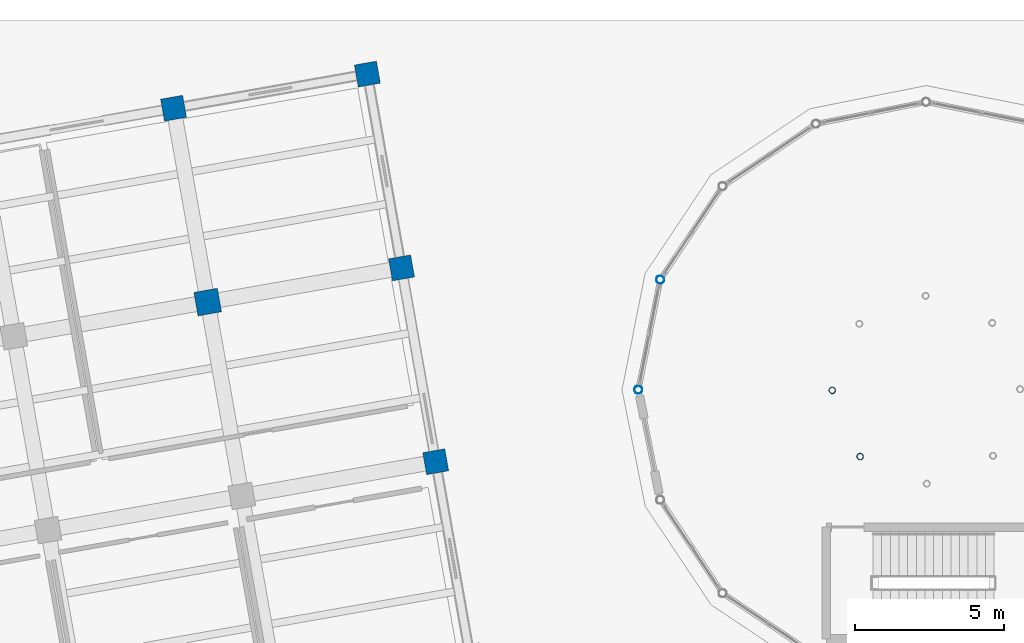
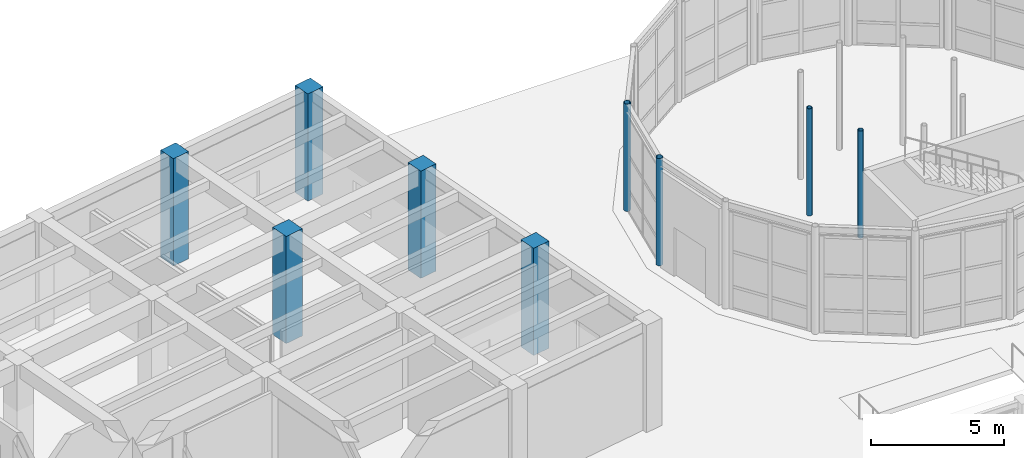
# One storey, part 3 of 57: 9 columns.
"""IFC4 building model written with IfcOpenShell, lengths in metres."""

import ifcopenshell
import ifcopenshell.guid

model = None  # the IFC model being written
_history = None  # IfcOwnerHistory: only IFC2X3 demands one
_inside = {}  # id of a spatial element -> (the spatial element, [elements in it])
_under = {}  # id of a project, library or spatial element -> (it, [spatial elements below it])
_declared = {}  # id of a project -> (the project, [libraries it declares])
_typed = {}  # id of a type object -> (the type object, [elements of that type])
_made_of = {}  # id of a material, layer set ... -> (it, [elements and type objects made of it])


def new_model(schema):
    """Start an empty IFC model of exactly this schema.

    Asked for "IFC4X3", IfcOpenShell would pick the latest addendum, in which some entities
    have other attributes; the version numbers below select the first issue.
    IFC2X3 requires an IfcOwnerHistory on every rooted entity: one is made here for all.
    """
    global model, _history
    if schema == "IFC4X3":
        model = ifcopenshell.file(schema_version=(4, 3, 0, 0))
    else:
        model = ifcopenshell.file(schema=schema)
    _inside.clear()
    _under.clear()
    _declared.clear()
    _typed.clear()
    _made_of.clear()
    _history = None
    if model.schema == "IFC2X3":
        org = make("IfcOrganization", Name="unknown")
        user = make(
            "IfcPersonAndOrganization",
            ThePerson=make("IfcPerson", FamilyName="unknown"),
            TheOrganization=org,
        )
        app = make(
            "IfcApplication",
            ApplicationDeveloper=org,
            Version="unknown",
            ApplicationFullName="unknown",
            ApplicationIdentifier="unknown",
        )
        _history = make(
            "IfcOwnerHistory",
            OwningUser=user,
            OwningApplication=app,
            ChangeAction="ADDED",
            CreationDate=0,
        )
    return model


def make(cls, **values):
    """One entity of the class cls with the attributes given. An attribute that is None is left unset."""
    return model.create_entity(
        cls, **{name: value for name, value in values.items() if value is not None}
    )


def rooted(cls, **values):
    """An entity with a GlobalId (a new one), such as an element, a storey or a relation."""
    return make(cls, GlobalId=ifcopenshell.guid.new(), OwnerHistory=_history, **values)


def si_unit(unit_type, name, prefix=None):
    """IfcSIUnit, for example si_unit("LENGTHUNIT", "METRE", prefix="MILLI")."""
    return make("IfcSIUnit", UnitType=unit_type, Prefix=prefix, Name=name)


def assignment(units):
    """IfcUnitAssignment: the units of a project."""
    return None if units is None else make("IfcUnitAssignment", Units=units)


def point(xyz):
    """IfcCartesianPoint."""
    return None if xyz is None else make("IfcCartesianPoint", Coordinates=xyz)


def direction(xyz):
    """IfcDirection."""
    return None if xyz is None else make("IfcDirection", DirectionRatios=xyz)


def frame(location, z_axis=None, x_axis=None):
    """IfcAxis2Placement3D, a coordinate frame: its origin and axes. An axis left out is left unset."""
    return make(
        "IfcAxis2Placement3D",
        Location=point(location),
        Axis=direction(z_axis),
        RefDirection=direction(x_axis),
    )


def frame_2d(location, x_axis=None):
    """IfcAxis2Placement2D, a coordinate frame in the plane: its origin and x axis."""
    return make(
        "IfcAxis2Placement2D", Location=point(location), RefDirection=direction(x_axis)
    )


def origin():
    """The frame at (0, 0, 0) with its axes left unset."""
    return frame((0.0, 0.0, 0.0))


def origin_2d():
    """The frame at (0, 0) in the plane with its x axis left unset."""
    return frame_2d((0.0, 0.0))


def place(relative_to, where):
    """IfcLocalPlacement: puts the frame where relative to a parent placement (None: the world)."""
    return make(
        "IfcLocalPlacement", PlacementRelTo=relative_to, RelativePlacement=where
    )


def context(
    kind, dimensions, precision=None, world=None, true_north=None, identifier=None
):
    """IfcGeometricRepresentationContext, for example the 3D "Model" context."""
    return make(
        "IfcGeometricRepresentationContext",
        ContextIdentifier=identifier,
        ContextType=kind,
        CoordinateSpaceDimension=dimensions,
        Precision=precision,
        WorldCoordinateSystem=world,
        TrueNorth=true_north,
    )


def subcontext(parent, identifier, kind, view, scale=None):
    """IfcGeometricRepresentationSubContext, for example "Body" below "Model"."""
    return make(
        "IfcGeometricRepresentationSubContext",
        ContextIdentifier=identifier,
        ContextType=kind,
        ParentContext=parent,
        TargetScale=scale,
        TargetView=view,
    )


def project(units=None, contexts=None):
    """IfcProject with its units and contexts."""
    return rooted(
        "IfcProject",
        Name="project",
        RepresentationContexts=contexts,
        UnitsInContext=assignment(units),
    )


def spatial(cls, under=None, at=None, **own):
    """A site, building, storey or space (cls), placed at a placement, below another one or the project."""
    s = rooted(cls, ObjectPlacement=at, **own)
    if under is not None:
        _under.setdefault(under.id(), (under, []))[1].append(s)
    return s


def profile(cls, at=None, kind="AREA", **sizes):
    """A parametric profile (cls). Its sizes go by their IFC names, for example OverallWidth=200.0."""
    return make(cls, ProfileType=kind, Position=at, **sizes)


def rectangle(**sizes):
    """IfcRectangleProfileDef."""
    return profile("IfcRectangleProfileDef", **sizes)


def hollow_circle(**sizes):
    """IfcCircleHollowProfileDef."""
    return profile("IfcCircleHollowProfileDef", **sizes)


def extrude(swept, where, along, depth):
    """IfcExtrudedAreaSolid: the profile swept, set in the frame where, extruded along a direction by depth."""
    return make(
        "IfcExtrudedAreaSolid",
        SweptArea=swept,
        Position=where,
        ExtrudedDirection=direction(along),
        Depth=depth,
    )


def shape(context_of_items, identifier, shape_type, items):
    """IfcShapeRepresentation: the items that make up one representation, for example the "Body"."""
    return make(
        "IfcShapeRepresentation",
        ContextOfItems=context_of_items,
        RepresentationIdentifier=identifier,
        RepresentationType=shape_type,
        Items=items,
    )


def material(Name=None, Category=None):
    """IfcMaterial."""
    return make("IfcMaterial", Name=Name, Category=Category)


def material_profile(
    of_material, cross_section, Name=None, Category=None, Priority=None
):
    """IfcMaterialProfile: a cross section and its material."""
    return make(
        "IfcMaterialProfile",
        Name=Name,
        Material=of_material,
        Profile=cross_section,
        Priority=Priority,
        Category=Category,
    )


def profile_set(profiles, Name=None, composite=None):
    """IfcMaterialProfileSet."""
    return make(
        "IfcMaterialProfileSet",
        Name=Name,
        MaterialProfiles=profiles,
        CompositeProfile=composite,
    )


def made_of(thing, what):
    """Note that an element or type object is made of a material, layer set ...; save() writes the relation."""
    if what is not None:
        _made_of.setdefault(what.id(), (what, []))[1].append(thing)
    return thing


def type_object(cls, material=None, **own):
    """A type object (cls), such as IfcWallType, which elements share."""
    return made_of(rooted(cls, **own), material)


def element(
    cls,
    number,
    at=None,
    inside=None,
    cuts=None,
    type_object=None,
    material=None,
    context=None,
    identifier="Body",
    shape_type=None,
    held_by="IfcProductDefinitionShape",
    body=None,
    shapes=None,
    **own,
):
    """One element of the class cls, such as IfcWall. Its Tag is "e" and its number.

    at: its placement. inside: the storey or other place that contains it. cuts: it is an
    opening in that element (IfcRelVoidsElement). A single representation is given by context,
    identifier, shape_type and body (its items); several are given by shapes. held_by: the class
    of the entity that holds the representations. save() writes the other relations.
    """
    e = rooted(cls, Tag="e%d" % number, ObjectPlacement=at, **own)
    if body is not None:
        shapes = [shape(context, identifier, shape_type, body)]
    if shapes is not None:
        e.Representation = make(held_by, Representations=shapes)
    if inside is not None:
        _inside.setdefault(inside.id(), (inside, []))[1].append(e)
    if cuts is not None:
        rooted(
            "IfcRelVoidsElement", RelatingBuildingElement=cuts, RelatedOpeningElement=e
        )
    if type_object is not None:
        _typed.setdefault(type_object.id(), (type_object, []))[1].append(e)
    return made_of(e, material)


def aggregate(whole, parts):
    """IfcRelAggregates: a whole, such as a stair, and the parts it consists of."""
    return rooted("IfcRelAggregates", RelatingObject=whole, RelatedObjects=parts)


def save(model, path):
    """Write the relations noted so far, then the file.

    IfcRelAggregates (storeys below a building ...), IfcRelContainedInSpatialStructure (elements
    in a storey), IfcRelDefinesByType, IfcRelAssociatesMaterial and IfcRelDeclares: one each for
    every whole, place, type object, material and project.
    """
    for whole, parts in _under.values():
        aggregate(whole, parts)
    for where, things in _inside.values():
        rooted(
            "IfcRelContainedInSpatialStructure",
            RelatedElements=things,
            RelatingStructure=where,
        )
    for kind, things in _typed.values():
        rooted("IfcRelDefinesByType", RelatedObjects=things, RelatingType=kind)
    for what, things in _made_of.values():
        rooted("IfcRelAssociatesMaterial", RelatedObjects=things, RelatingMaterial=what)
    for by, libraries in _declared.values():
        rooted("IfcRelDeclares", RelatingContext=by, RelatedDefinitions=libraries)
    model.write(path)


model = new_model("IFC4")

# Units and contexts
model_context = context("Model", 3, precision=1e-05, world=origin(), true_north=direction((0.0, 1.0)))
body_context = subcontext(model_context, "Body", "Model", "MODEL_VIEW")
ifc_project = project(units=[si_unit("LENGTHUNIT", "METRE"), si_unit("AREAUNIT", "SQUARE_METRE"), si_unit("VOLUMEUNIT", "CUBIC_METRE"), si_unit("PLANEANGLEUNIT", "RADIAN"), si_unit("MASSUNIT", "GRAM", prefix="KILO")], contexts=[model_context])

# Site, building, storey
site_placement = place(None, origin())
site = spatial("IfcSite", under=ifc_project, at=site_placement, CompositionType="ELEMENT")
building_placement = place(site_placement, origin())
building = spatial("IfcBuilding", under=site, at=building_placement, Name="Kharisveld Research Institute", CompositionType="ELEMENT")
storey_placement = place(building_placement, origin())
storey = spatial("IfcBuildingStorey", under=building, at=storey_placement, Name="L00", CompositionType="ELEMENT", Elevation=0.0)

# Columns
ifc_material_1 = material(Name="Concrete C50/60", Category="concrete")
ifc_material_profile_1 = material_profile(ifc_material_1, rectangle(XDim=0.75, YDim=0.75, at=origin_2d()))
ifc_profile_set_1 = profile_set([ifc_material_profile_1], Name="Concrete C50/60")
column_type_1 = type_object("IfcColumnType", Name="COL_RC_750", PredefinedType="COLUMN", material=ifc_profile_set_1)
for number, where, z_axis, x_axis, name in (
    (1, (34.260498046875, 60.239501953125, 0.0), (0.0, 0.0, 1.0), (0.984807753012, 0.173648177667, 0.0), "COL:V1:L00:U5V3"),
    (2, (43.05224609375, 48.38623046875, 0.0), (0.0, 0.0, 1.0), (0.984807753012, 0.173648177667, 0.0), "COL:V1:L00:U6V1"),
    (3, (41.90625, 54.885986328125, 0.0), (0.0, 0.0, 1.0), (0.984807753012, 0.173648177667, 0.0), "COL:V1:L00:U6V2"),
    (4, (40.76025390625, 61.3857421875, 0.0), (0.0, 0.0, 1.0), (0.984807753012, 0.173648177667, 0.0), "COL:V1:L00:U6V3"),
):
    element("IfcColumn", number, at=place(storey_placement, frame(where, z_axis=z_axis, x_axis=x_axis)), inside=storey, type_object=column_type_1, Name=name, PredefinedType="COLUMN", context=body_context, shape_type="SweptSolid", body=[
        extrude(rectangle(XDim=0.75, YDim=0.75, at=origin_2d()), origin(), (0.0, 0.0, 1.0), 4.919921875),
    ])
ifc_material_2 = material(Name="Concrete C50/60", Category="concrete")
ifc_material_profile_2 = material_profile(ifc_material_2, rectangle(XDim=0.800048828125, YDim=0.800048828125, at=origin_2d()))
ifc_profile_set_2 = profile_set([ifc_material_profile_2], Name="Concrete C50/60")
column_type_2 = type_object("IfcColumnType", Name="COL_RC_800", PredefinedType="COLUMN", material=ifc_profile_set_2)
column_placement = place(storey_placement, frame((35.406494140625, 53.73974609375, 0.0), z_axis=(0.0, 0.0, 1.0), x_axis=(0.984807753012, 0.173648177667, 0.0)))
element("IfcColumn", 5, at=column_placement, inside=storey, type_object=column_type_2, Name="COL:V1:L00:U5V2", PredefinedType="COLUMN", context=body_context, shape_type="SweptSolid", body=[
    extrude(rectangle(XDim=0.800048828125, YDim=0.800048828125, at=origin_2d()), origin(), (0.0, 0.0, 1.0), 4.919921875),
])
ifc_material_3 = material(Name="Steel S355J2H", Category="steel")
ifc_material_profile_3 = material_profile(ifc_material_3, hollow_circle(Radius=0.109619140625, WallThickness=0.010009765625, at=origin_2d()))
ifc_profile_set_3 = profile_set([ifc_material_profile_3], Name="Steel S355J2H")
column_type_3 = type_object("IfcColumnType", Name="COL_ST_CHS219", PredefinedType="COLUMN", material=ifc_profile_set_3)
for number, where, z_axis, x_axis, name in (
    (6, (56.35009765625, 50.78076171875, 0.0), (0.0, 0.0, 1.0), (1.0, 0.0, 0.0), "COL:V6:L00:OC08"),
    (7, (57.286376953125, 48.55908203125, 0.0), (0.0, 0.0, 1.0), (1.0, 0.0, 0.0), "COL:V6:L00:OC10"),
):
    element("IfcColumn", number, at=place(storey_placement, frame(where, z_axis=z_axis, x_axis=x_axis)), inside=storey, type_object=column_type_3, Name=name, PredefinedType="COLUMN", context=body_context, shape_type="SweptSolid", body=[
        extrude(hollow_circle(Radius=0.109619140625, WallThickness=0.010009765625, at=origin_2d()), origin(), (0.0, 0.0, 1.0), 4.919921875),
    ])
ifc_material_4 = material(Name="Steel S355J2H", Category="steel")
ifc_material_profile_4 = material_profile(ifc_material_4, hollow_circle(Radius=0.136474609375, WallThickness=0.010009765625, at=origin_2d()))
ifc_profile_set_4 = profile_set([ifc_material_profile_4], Name="Steel S355J2H")
column_type_4 = type_object("IfcColumnType", Name="COL_ST_CHS273", PredefinedType="COLUMN", material=ifc_profile_set_4)
for number, where, z_axis, x_axis, name in (
    (8, (50.58447265625, 54.492919921875, 0.0), (0.0, 0.0, 1.0), (1.0, 0.0, 0.0), "COL:V6:L00:R07"),
    (9, (49.85009765625, 50.800048828125, 0.0), (0.0, 0.0, 1.0), (1.0, 0.0, 0.0), "COL:V6:L00:R08"),
):
    element("IfcColumn", number, at=place(storey_placement, frame(where, z_axis=z_axis, x_axis=x_axis)), inside=storey, type_object=column_type_4, Name=name, PredefinedType="COLUMN", context=body_context, shape_type="SweptSolid", body=[
        extrude(hollow_circle(Radius=0.136474609375, WallThickness=0.010009765625, at=origin_2d()), origin(), (0.0, 0.0, 1.0), 4.919921875),
    ])

save(model, "model.ifc")
